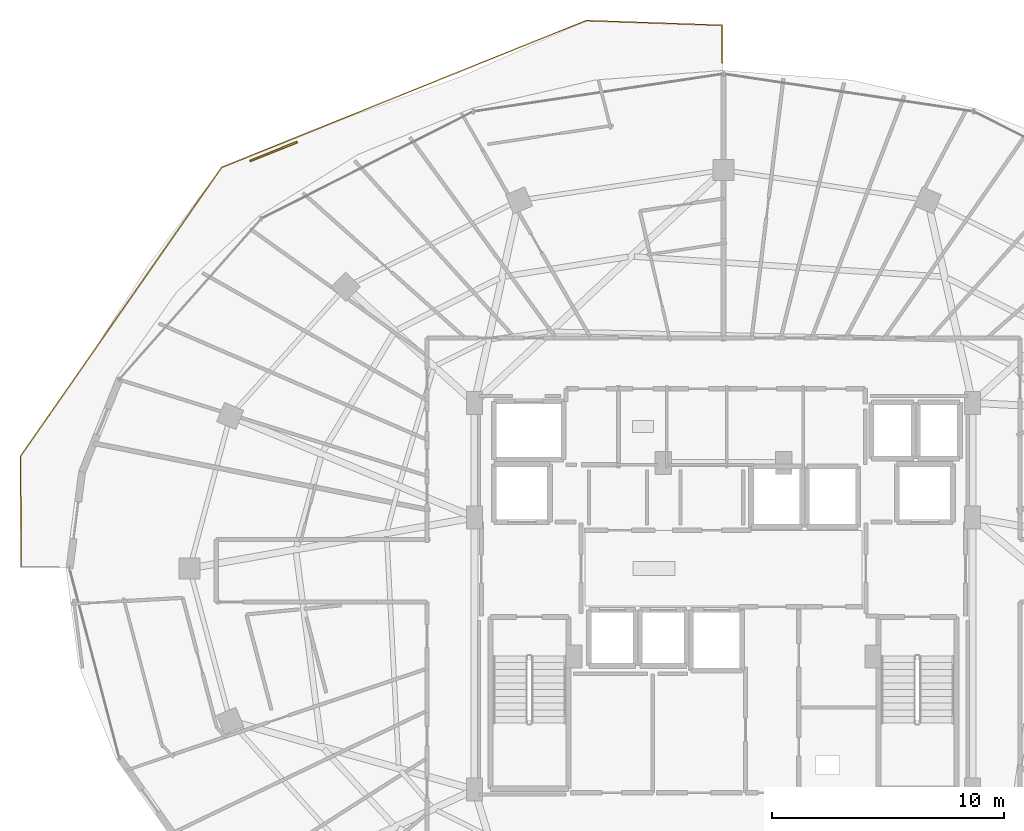
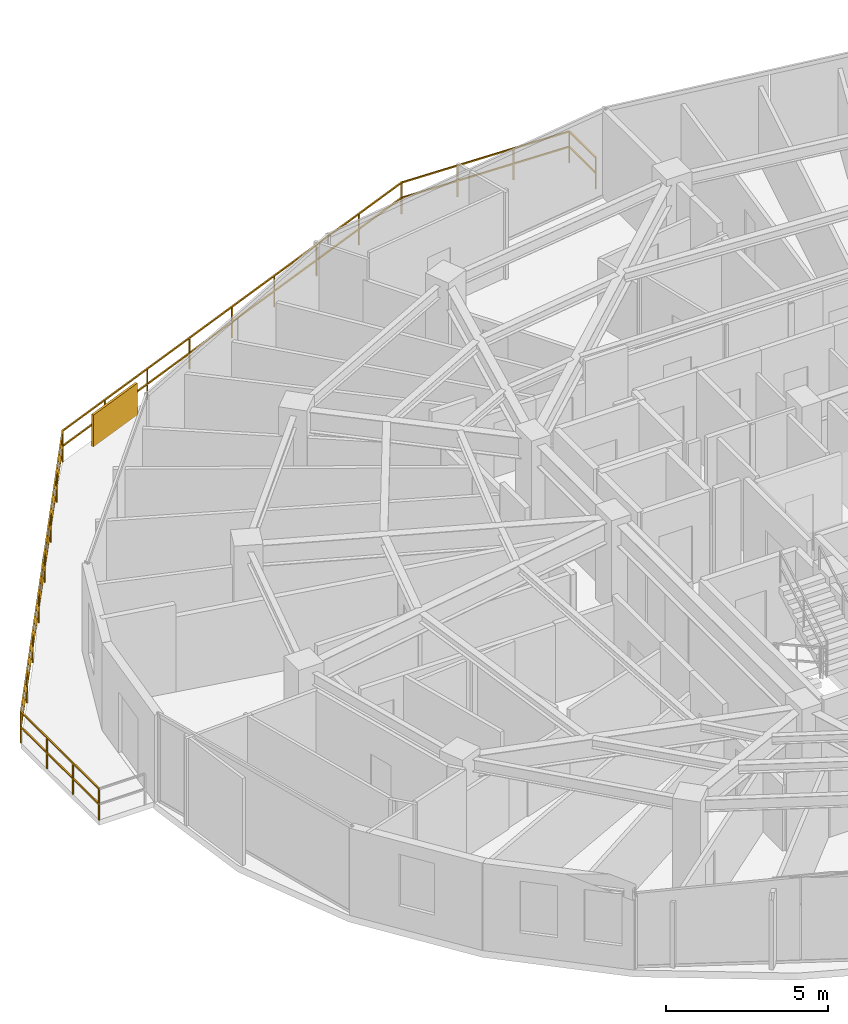
# One storey, part 33 of 34: 1 railing, 1 shading device.
"""IFC4 building model written with IfcOpenShell, lengths in metres."""

from ifc_helpers import new_model, si_unit, direction, frame, origin, origin_2d, place, context, subcontext, project, spatial, rectangle, extrude, material, type_object, element, save


model = new_model("IFC4")

# Units and contexts
model_context = context("Model", 3, precision=1e-05, world=origin(), true_north=direction((0.0, 1.0)))
body_context = subcontext(model_context, "Body", "Model", "MODEL_VIEW")
ifc_project = project(units=[si_unit("LENGTHUNIT", "METRE"), si_unit("AREAUNIT", "SQUARE_METRE"), si_unit("VOLUMEUNIT", "CUBIC_METRE"), si_unit("PLANEANGLEUNIT", "RADIAN"), si_unit("MASSUNIT", "GRAM", prefix="KILO")], contexts=[model_context])

# Site, building, storey
site_placement = place(None, origin())
site = spatial("IfcSite", under=ifc_project, at=site_placement, CompositionType="ELEMENT")
building_placement = place(site_placement, origin())
building = spatial("IfcBuilding", under=site, at=building_placement, Name="Vorneva Point Tower", CompositionType="ELEMENT")
storey_placement = place(building_placement, frame((0.0, 0.0, 214.300048828125)))
storey = spatial("IfcBuildingStorey", under=building, at=storey_placement, Name="L58", CompositionType="ELEMENT", Elevation=214.300048828125)

# Railing
ifc_material = material(Name="Pale anodised aluminium", Category="aluminium")
railing_type = type_object("IfcRailingType", Name="RL-BAL-1200", PredefinedType="BALUSTRADE", material=ifc_material)
railing_placement = place(storey_placement, frame((37.949951171875, 47.817138671875, 0.0)))
element("IfcRailing", 1, at=railing_placement, inside=storey, type_object=railing_type, Name="L58 Wave Balcony Balustrade NW.2", PredefinedType="BALUSTRADE", context=body_context, shape_type="SweptSolid", body=[
    extrude(rectangle(XDim=0.048095703125, YDim=0.048095703125, at=origin_2d()), frame((0.0, 0.0, 1.17578125), z_axis=(0.0, 1.0, 0.0), x_axis=(-1.0, 0.0, 0.0)), (0.0, 0.0, 1.0), 1.634521484375),
    extrude(rectangle(XDim=0.048095703125, YDim=0.048095703125, at=origin_2d()), frame((0.0, 0.0, 0.60009765625), z_axis=(0.0, 1.0, 0.0), x_axis=(-1.0, 0.0, 0.0)), (0.0, 0.0, 1.0), 1.634521484375),
    extrude(rectangle(XDim=0.048095703125, YDim=0.048095703125, at=origin_2d()), frame((0.0, 1.634521484375, 1.17578125), z_axis=(-0.99940397483, 0.034520937031, 0.0), x_axis=(-0.034520937031, -0.99940397483, 0.0)), (0.0, 0.0, 1.0), 5.876953125),
    extrude(rectangle(XDim=0.048095703125, YDim=0.048095703125, at=origin_2d()), frame((0.0, 1.634521484375, 0.60009765625), z_axis=(-0.99940397483, 0.034520937031, 0.0), x_axis=(-0.034520937031, -0.99940397483, 0.0)), (0.0, 0.0, 1.0), 5.876953125),
    extrude(rectangle(XDim=0.048095703125, YDim=0.048095703125, at=origin_2d()), frame((-5.87353515625, 1.83740234375, 1.17578125), z_axis=(-0.927629084928, -0.373502718591, 0.0), x_axis=(0.373502718591, -0.927629084928, 0.0)), (0.0, 0.0, 1.0), 16.97265625),
    extrude(rectangle(XDim=0.048095703125, YDim=0.048095703125, at=origin_2d()), frame((-5.87353515625, 1.83740234375, 0.60009765625), z_axis=(-0.927629084928, -0.373502718591, 0.0), x_axis=(0.373502718591, -0.927629084928, 0.0)), (0.0, 0.0, 1.0), 16.97265625),
    extrude(rectangle(XDim=0.048095703125, YDim=0.048095703125, at=origin_2d()), frame((-21.617919921875, -4.501953125, 1.17578125), z_axis=(-0.571489307162, -0.820609512374, 0.0), x_axis=(0.820609512374, -0.571489307162, 0.0)), (0.0, 0.0, 1.0), 15.185302734375),
    extrude(rectangle(XDim=0.048095703125, YDim=0.048095703125, at=origin_2d()), frame((-21.617919921875, -4.501953125, 0.60009765625), z_axis=(-0.571489307162, -0.820609512374, 0.0), x_axis=(0.820609512374, -0.571489307162, 0.0)), (0.0, 0.0, 1.0), 15.185302734375),
    extrude(rectangle(XDim=0.048095703125, YDim=0.048095703125, at=origin_2d()), frame((-30.296142578125, -16.963134765625, 1.17578125), z_axis=(0.003354150975, -0.99999437482, 0.0), x_axis=(0.99999437482, 0.003354150975, 0.0)), (0.0, 0.0, 1.0), 4.803955078125),
    extrude(rectangle(XDim=0.048095703125, YDim=0.048095703125, at=origin_2d()), frame((-30.296142578125, -16.963134765625, 0.60009765625), z_axis=(0.003354150975, -0.99999437482, 0.0), x_axis=(0.99999437482, 0.003354150975, 0.0)), (0.0, 0.0, 1.0), 4.803955078125),
    extrude(rectangle(XDim=0.0419921875, YDim=0.0419921875, at=origin_2d()), origin(), (0.0, 0.0, 1.0), 1.15185546875),
    extrude(rectangle(XDim=0.0419921875, YDim=0.0419921875, at=origin_2d()), frame((0.0, 1.634521484375, 0.0)), (0.0, 0.0, 1.0), 1.15185546875),
    extrude(rectangle(XDim=0.0419921875, YDim=0.0419921875, at=origin_2d()), frame((-1.957763671875, 1.7021484375, 0.0)), (0.0, 0.0, 1.0), 1.15185546875),
    extrude(rectangle(XDim=0.0419921875, YDim=0.0419921875, at=origin_2d()), frame((-3.915771484375, 1.769775390625, 0.0)), (0.0, 0.0, 1.0), 1.15185546875),
    extrude(rectangle(XDim=0.0419921875, YDim=0.0419921875, at=origin_2d()), frame((-5.87353515625, 1.83740234375, 0.0)), (0.0, 0.0, 1.0), 1.15185546875),
    extrude(rectangle(XDim=0.0419921875, YDim=0.0419921875, at=origin_2d()), frame((-7.841552734375, 1.044921875, 0.0)), (0.0, 0.0, 1.0), 1.15185546875),
    extrude(rectangle(XDim=0.0419921875, YDim=0.0419921875, at=origin_2d()), frame((-9.8095703125, 0.25244140625, 0.0)), (0.0, 0.0, 1.0), 1.15185546875),
    extrude(rectangle(XDim=0.0419921875, YDim=0.0419921875, at=origin_2d()), frame((-11.777587890625, -0.539794921875, 0.0)), (0.0, 0.0, 1.0), 1.15185546875),
    extrude(rectangle(XDim=0.0419921875, YDim=0.0419921875, at=origin_2d()), frame((-13.74560546875, -1.332275390625, 0.0)), (0.0, 0.0, 1.0), 1.15185546875),
    extrude(rectangle(XDim=0.0419921875, YDim=0.0419921875, at=origin_2d()), frame((-15.7138671875, -2.124755859375, 0.0)), (0.0, 0.0, 1.0), 1.15185546875),
    extrude(rectangle(XDim=0.0419921875, YDim=0.0419921875, at=origin_2d()), frame((-17.681884765625, -2.9169921875, 0.0)), (0.0, 0.0, 1.0), 1.15185546875),
    extrude(rectangle(XDim=0.0419921875, YDim=0.0419921875, at=origin_2d()), frame((-19.64990234375, -3.70947265625, 0.0)), (0.0, 0.0, 1.0), 1.15185546875),
    extrude(rectangle(XDim=0.0419921875, YDim=0.0419921875, at=origin_2d()), frame((-21.617919921875, -4.501953125, 0.0)), (0.0, 0.0, 1.0), 1.15185546875),
    extrude(rectangle(XDim=0.0419921875, YDim=0.0419921875, at=origin_2d()), frame((-22.857666015625, -6.2822265625, 0.0)), (0.0, 0.0, 1.0), 1.15185546875),
    extrude(rectangle(XDim=0.0419921875, YDim=0.0419921875, at=origin_2d()), frame((-24.097412109375, -8.062255859375, 0.0)), (0.0, 0.0, 1.0), 1.15185546875),
    extrude(rectangle(XDim=0.0419921875, YDim=0.0419921875, at=origin_2d()), frame((-25.337158203125, -9.842529296875, 0.0)), (0.0, 0.0, 1.0), 1.15185546875),
    extrude(rectangle(XDim=0.0419921875, YDim=0.0419921875, at=origin_2d()), frame((-26.576904296875, -11.62255859375, 0.0)), (0.0, 0.0, 1.0), 1.15185546875),
    extrude(rectangle(XDim=0.0419921875, YDim=0.0419921875, at=origin_2d()), frame((-27.816650390625, -13.40283203125, 0.0)), (0.0, 0.0, 1.0), 1.15185546875),
    extrude(rectangle(XDim=0.0419921875, YDim=0.0419921875, at=origin_2d()), frame((-29.056396484375, -15.182861328125, 0.0)), (0.0, 0.0, 1.0), 1.15185546875),
    extrude(rectangle(XDim=0.0419921875, YDim=0.0419921875, at=origin_2d()), frame((-30.296142578125, -16.963134765625, 0.0)), (0.0, 0.0, 1.0), 1.15185546875),
    extrude(rectangle(XDim=0.0419921875, YDim=0.0419921875, at=origin_2d()), frame((-30.290771484375, -18.564453125, 0.0)), (0.0, 0.0, 1.0), 1.15185546875),
    extrude(rectangle(XDim=0.0419921875, YDim=0.0419921875, at=origin_2d()), frame((-30.285400390625, -20.165771484375, 0.0)), (0.0, 0.0, 1.0), 1.15185546875),
    extrude(rectangle(XDim=0.0419921875, YDim=0.0419921875, at=origin_2d()), frame((-30.280029296875, -21.76708984375, 0.0)), (0.0, 0.0, 1.0), 1.15185546875),
])

# Shading device
shading_device_type = type_object("IfcShadingDeviceType", Name="SHD-JAL-1200", PredefinedType="JALOUSIE", material=ifc_material)
shading_device_placement = place(storey_placement, frame((18.579833984375, 44.00244140625, -0.02001953125), z_axis=(0.0, 0.0, 1.0), x_axis=(-0.928109418915, -0.372307542928, 0.0)))
element("IfcShadingDevice", 2, at=shading_device_placement, inside=storey, type_object=shading_device_type, Name="L58 Balcony Vertical-Greenery Planter Screen NW.2", PredefinedType="JALOUSIE", context=body_context, shape_type="SweptSolid", body=[
    extrude(rectangle(XDim=2.199951171875, YDim=0.080078125, at=origin_2d()), origin(), (0.0, 0.0, 1.0), 1.199951171875),
])

save(model, "model.ifc")
